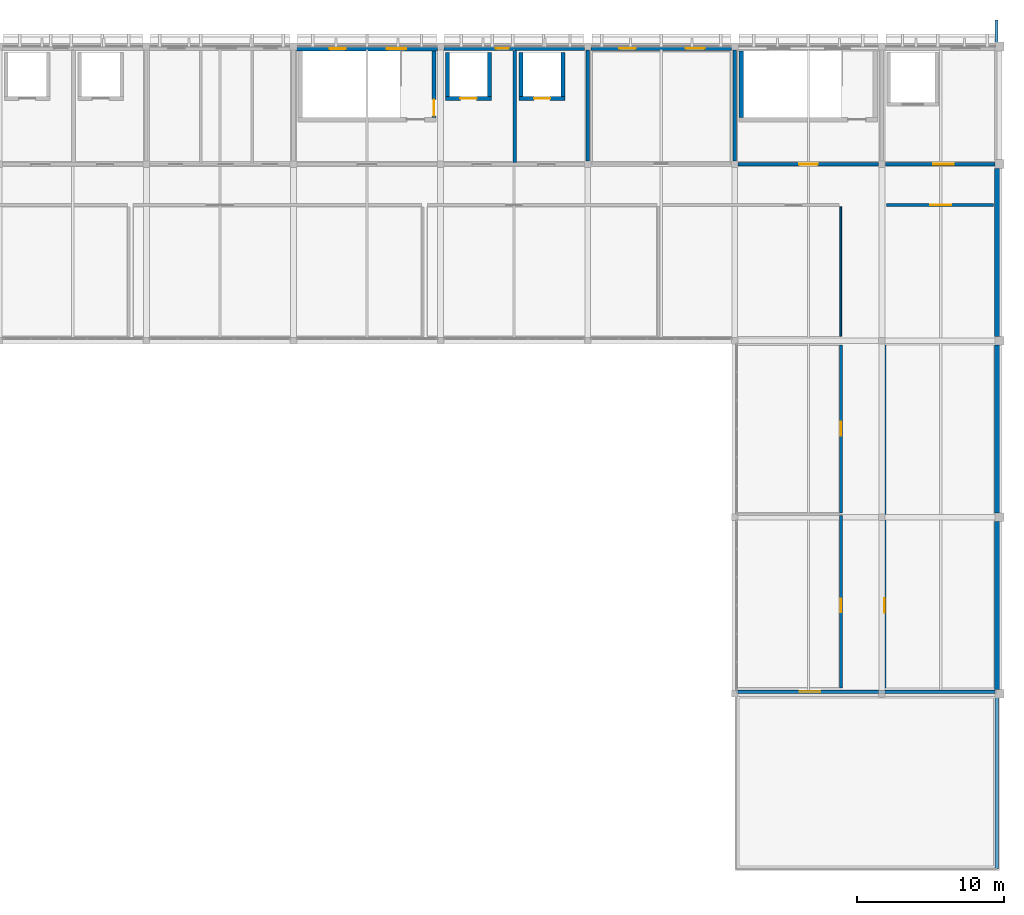
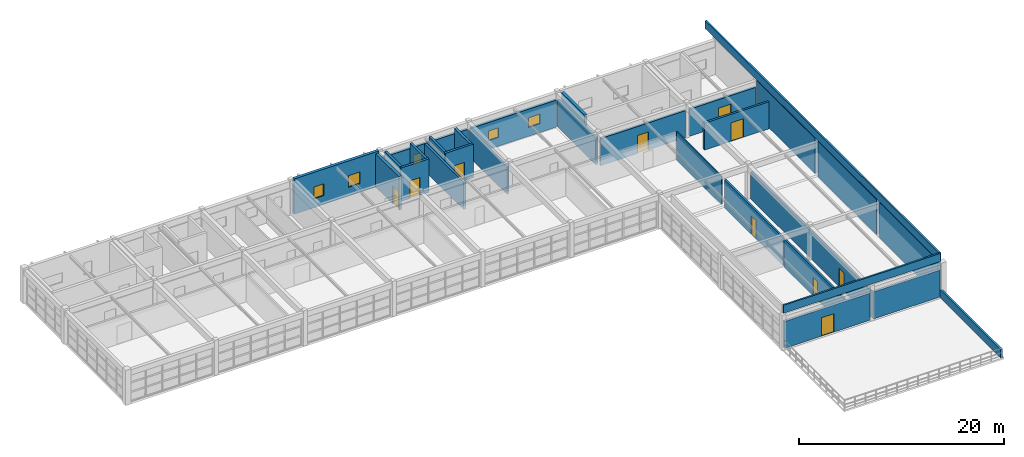
# One storey, part 14 of 16: 29 walls, 10 doors, 5 windows, 15 openings.
"""IFC4 building model written with IfcOpenShell, lengths in metres."""

from ifc_helpers import new_model, si_unit, direction, frame, frame_2d, origin, place, context, subcontext, project, spatial, rectangle, extrude, material, layer, layer_set, type_object, element, fill, save


model = new_model("IFC4")

# Units and contexts
model_context = context("Model", 3, precision=1e-05, world=origin(), true_north=direction((0.0, 1.0)))
body_context = subcontext(model_context, "Body", "Model", "MODEL_VIEW")
ifc_project = project(units=[si_unit("LENGTHUNIT", "METRE"), si_unit("AREAUNIT", "SQUARE_METRE"), si_unit("VOLUMEUNIT", "CUBIC_METRE"), si_unit("PLANEANGLEUNIT", "RADIAN"), si_unit("MASSUNIT", "GRAM", prefix="KILO")], contexts=[model_context])

# Site, building, storey
site_placement = place(None, origin())
site = spatial("IfcSite", under=ifc_project, at=site_placement, CompositionType="ELEMENT")
building_placement = place(site_placement, origin())
building = spatial("IfcBuilding", under=site, at=building_placement, Name="Kivolera Central Railway Station", CompositionType="ELEMENT")
storey_placement = place(building_placement, frame((0.0, 0.0, 27.0)))
storey = spatial("IfcBuildingStorey", under=building, at=storey_placement, Name="L06", CompositionType="ELEMENT", Elevation=27.0)

# Wall, opening, door
ifc_material_1 = material(Name="Concrete C40/50", Category="concrete")
ifc_layer_1 = layer(ifc_material_1, 0.22998046875, Name="Concrete C40/50")
ifc_layer_set_1 = layer_set([ifc_layer_1], Name="Concrete C40/50")
wall_type_1 = type_object("IfcWallType", Name="WL-COMP-230", PredefinedType="PARTITIONING", material=ifc_layer_set_1)
wall_1_placement = place(storey_placement, frame((188.300048828125, 123.219970703125, 0.0), z_axis=(0.0, 0.0, 1.0), x_axis=(1.0, 0.0, 0.0)))
wall_1 = element("IfcWall", 1, at=wall_1_placement, inside=storey, type_object=wall_type_1, Name="L06 Roof Smoke Extract and AHU Plant Room Corridor Wall", PredefinedType="PARTITIONING", context=body_context, shape_type="SweptSolid", body=[
    extrude(rectangle(XDim=7.300048828125, YDim=0.22998046875, at=frame_2d((3.64990234375, 0.0))), origin(), (0.0, 0.0, 1.0), 3.218017578125),
])
opening_1_placement = place(wall_1_placement, frame((3.0, 0.0, 0.0)))
opening_1 = element("IfcOpeningElement", 2, at=opening_1_placement, cuts=wall_1, Name="Opening D-PLT-1400", PredefinedType="OPENING", context=body_context, shape_type="SweptSolid", body=[
    extrude(rectangle(XDim=1.39990234375, YDim=2.199951171875, at=frame_2d((0.699951171875, 1.10009765625))), frame((0.0, 0.125, 0.0), z_axis=(0.0, -1.0, 0.0), x_axis=(1.0, 0.0, 0.0)), (0.0, 0.0, 1.0), 0.25),
])
ifc_material_2 = material(Name="Anodised aluminium", Category="aluminium")
door_type_1 = type_object("IfcDoorType", Name="DR-D-PLT-1400", OperationType="NOTDEFINED", PredefinedType="DOOR", material=ifc_material_2)
door_1_placement = place(opening_1_placement, origin())
door_1 = element("IfcDoor", 3, at=door_1_placement, inside=storey, type_object=door_type_1, Name="L06 Roof Smoke Extract and AHU Plant Room Door", OperationType="SINGLE_SWING_RIGHT", OverallHeight=2.199951171875, OverallWidth=1.39990234375, PredefinedType="DOOR", context=body_context, shape_type="SweptSolid", body=[
    extrude(rectangle(XDim=1.39990234375, YDim=2.199951171875, at=frame_2d((0.699951171875, 1.10009765625))), frame((0.0, 0.02490234375, 0.0), z_axis=(0.0, -1.0, 0.0), x_axis=(1.0, 0.0, 0.0)), (0.0, 0.0, 1.0), 0.050048828125),
])
fill(opening_1, door_1)

ifc_material_3 = material(Name="Swahili coral limestone", Category="masonry")
ifc_layer_2 = layer(ifc_material_3, 0.199951171875, Name="Swahili coral limestone")
ifc_layer_set_2 = layer_set([ifc_layer_2], Name="Swahili coral limestone")
wall_type_2 = type_object("IfcWallType", Name="WL-COR-200", PredefinedType="PARTITIONING", material=ifc_layer_set_2)
wall_2_placement = place(storey_placement, frame((185.219970703125, 90.39990234375, 0.0), z_axis=(0.0, 0.0, 1.0), x_axis=(0.0, 1.0, 0.0)))
wall_2 = element("IfcWall", 4, at=wall_2_placement, inside=storey, type_object=wall_type_2, Name="L06 Traction Simulator Laboratory Corridor Wall", PredefinedType="PARTITIONING", context=body_context, shape_type="SweptSolid", body=[
    extrude(rectangle(XDim=11.7001953125, YDim=0.199951171875, at=frame_2d((5.85009765625, 0.0))), origin(), (0.0, 0.0, 1.0), 3.318115234375),
])
opening_2_placement = place(wall_2_placement, frame((5.14990234375, 0.0, 0.0)))
opening_2 = element("IfcOpeningElement", 5, at=opening_2_placement, cuts=wall_2, Name="Opening D-SG-07", PredefinedType="OPENING", context=body_context, shape_type="SweptSolid", body=[
    extrude(rectangle(XDim=0.89990234375, YDim=2.199951171875, at=frame_2d((0.449951171875, 1.10009765625))), frame((0.0, 0.10986328125, 0.0), z_axis=(0.0, -1.0, 0.0), x_axis=(1.0, 0.0, 0.0)), (0.0, 0.0, 1.0), 0.219970703125),
])
ifc_material_4 = material(Name="Hardwood mvule timber", Category="wood")
door_type_2 = type_object("IfcDoorType", Name="DR-D-SG-07", OperationType="NOTDEFINED", PredefinedType="DOOR", material=ifc_material_4)
door_2_placement = place(opening_2_placement, origin())
door_2 = element("IfcDoor", 6, at=door_2_placement, inside=storey, type_object=door_type_2, Name="L06 Traction Simulator Laboratory Door", OperationType="SINGLE_SWING_LEFT", OverallHeight=2.199951171875, OverallWidth=0.89990234375, PredefinedType="DOOR", context=body_context, shape_type="SweptSolid", body=[
    extrude(rectangle(XDim=0.89990234375, YDim=2.199951171875, at=frame_2d((0.449951171875, 1.10009765625))), frame((0.0, 0.02490234375, 0.0), z_axis=(0.0, -1.0, 0.0), x_axis=(1.0, 0.0, 0.0)), (0.0, 0.0, 1.0), 0.050048828125),
])
fill(opening_2, door_2)

wall_3_placement = place(storey_placement, frame((185.219970703125, 102.300048828125, 0.0), z_axis=(0.0, 0.0, 1.0), x_axis=(0.0, 1.0, 0.0)))
wall_3 = element("IfcWall", 7, at=wall_3_placement, inside=storey, type_object=wall_type_2, Name="L06 ETCS Cab Signalling Laboratory Corridor Wall", PredefinedType="PARTITIONING", context=body_context, shape_type="SweptSolid", body=[
    extrude(rectangle(XDim=11.39990234375, YDim=0.199951171875, at=frame_2d((5.699951171875, 0.0))), origin(), (0.0, 0.0, 1.0), 3.318115234375),
])
opening_3_placement = place(wall_3_placement, frame((5.22509765625, 0.0, 0.0)))
opening_3 = element("IfcOpeningElement", 8, at=opening_3_placement, cuts=wall_3, Name="Opening D-SG-08", PredefinedType="OPENING", context=body_context, shape_type="SweptSolid", body=[
    extrude(rectangle(XDim=0.949951171875, YDim=2.199951171875, at=frame_2d((0.47509765625, 1.10009765625))), frame((0.0, 0.10986328125, 0.0), z_axis=(0.0, -1.0, 0.0), x_axis=(1.0, 0.0, 0.0)), (0.0, 0.0, 1.0), 0.219970703125),
])
door_type_3 = type_object("IfcDoorType", Name="DR-D-SG-08", OperationType="NOTDEFINED", PredefinedType="DOOR", material=ifc_material_4)
door_3_placement = place(opening_3_placement, origin())
door_3 = element("IfcDoor", 9, at=door_3_placement, inside=storey, type_object=door_type_3, Name="L06 ETCS Cab Signalling Laboratory Door", OperationType="SINGLE_SWING_RIGHT", OverallHeight=2.199951171875, OverallWidth=0.949951171875, PredefinedType="DOOR", context=body_context, shape_type="SweptSolid", body=[
    extrude(rectangle(XDim=0.949951171875, YDim=2.199951171875, at=frame_2d((0.47509765625, 1.10009765625))), frame((0.0, 0.02490234375, 0.0), z_axis=(0.0, -1.0, 0.0), x_axis=(1.0, 0.0, 0.0)), (0.0, 0.0, 1.0), 0.050048828125),
])
fill(opening_3, door_3)

wall_4_placement = place(storey_placement, frame((188.179931640625, 90.39990234375, 0.0), z_axis=(0.0, 0.0, 1.0), x_axis=(0.0, 1.0, 0.0)))
wall_4 = element("IfcWall", 10, at=wall_4_placement, inside=storey, type_object=wall_type_2, Name="L06 Training Instructors Faculty Lounge Corridor Wall", PredefinedType="PARTITIONING", context=body_context, shape_type="SweptSolid", body=[
    extrude(rectangle(XDim=23.300048828125, YDim=0.199951171875, at=frame_2d((11.64990234375, 0.0))), origin(), (0.0, 0.0, 1.0), 3.218017578125),
])
opening_4_placement = place(wall_4_placement, frame((5.10009765625, 0.0, 0.0)))
opening_4 = element("IfcOpeningElement", 11, at=opening_4_placement, cuts=wall_4, Name="Opening D-SG-09", PredefinedType="OPENING", context=body_context, shape_type="SweptSolid", body=[
    extrude(rectangle(XDim=1.0, YDim=2.199951171875, at=frame_2d((0.5, 1.10009765625))), frame((0.0, 0.10986328125, 0.0), z_axis=(0.0, -1.0, 0.0), x_axis=(1.0, 0.0, 0.0)), (0.0, 0.0, 1.0), 0.219970703125),
])
door_type_4 = type_object("IfcDoorType", Name="DR-D-SG-09", OperationType="NOTDEFINED", PredefinedType="DOOR", material=ifc_material_4)
door_4_placement = place(opening_4_placement, origin())
door_4 = element("IfcDoor", 12, at=door_4_placement, inside=storey, type_object=door_type_4, Name="L06 Training Instructors Faculty Lounge Door", OperationType="SINGLE_SWING_LEFT", OverallHeight=2.199951171875, OverallWidth=1.0, PredefinedType="DOOR", context=body_context, shape_type="SweptSolid", body=[
    extrude(rectangle(XDim=1.0, YDim=2.199951171875, at=frame_2d((0.5, 1.10009765625))), frame((0.0, 0.02490234375, 0.0), z_axis=(0.0, -1.0, 0.0), x_axis=(1.0, 0.0, 0.0)), (0.0, 0.0, 1.0), 0.050048828125),
])
fill(opening_4, door_4)

ifc_layer_3 = layer(ifc_material_1, 0.300048828125, Name="Concrete C40/50")
ifc_layer_set_3 = layer_set([ifc_layer_3], Name="Concrete C40/50")
wall_type_3 = type_object("IfcWallType", Name="WL-CORE-300", PredefinedType="SHEAR", material=ifc_layer_set_3)
wall_5_placement = place(storey_placement, frame((157.550048828125, 133.679931640625, 0.0), z_axis=(0.0, 0.0, 1.0), x_axis=(0.0, -1.0, 0.0)))
wall_5 = element("IfcWall", 13, at=wall_5_placement, inside=storey, type_object=wall_type_3, Name="L06 ST2 Core Near Shear Wall", PredefinedType="SHEAR", context=body_context, shape_type="SweptSolid", body=[
    extrude(rectangle(XDim=4.5, YDim=0.300048828125, at=frame_2d((2.25, 0.0))), origin(), (0.0, 0.0, 1.0), 3.97998046875),
])
opening_5_placement = place(wall_5_placement, frame((3.300048828125, 0.0, 0.0)))
opening_5 = element("IfcOpeningElement", 14, at=opening_5_placement, cuts=wall_5, Name="Opening D-FFL-1100", PredefinedType="OPENING", context=body_context, shape_type="SweptSolid", body=[
    extrude(rectangle(XDim=1.10009765625, YDim=2.14990234375, at=frame_2d((0.550048828125, 1.074951171875))), frame((0.0, 0.159912109375, 0.0), z_axis=(0.0, -1.0, 0.0), x_axis=(1.0, 0.0, 0.0)), (0.0, 0.0, 1.0), 0.320068359375),
])
door_type_5 = type_object("IfcDoorType", Name="DR-D-FFL-1100", OperationType="NOTDEFINED", PredefinedType="DOOR", material=ifc_material_4)
door_5_placement = place(opening_5_placement, origin())
door_5 = element("IfcDoor", 15, at=door_5_placement, inside=storey, type_object=door_type_5, Name="L06 Firefighting Lobby to ST2 Fire Door", OperationType="SINGLE_SWING_RIGHT", OverallHeight=2.14990234375, OverallWidth=1.10009765625, PredefinedType="DOOR", context=body_context, shape_type="SweptSolid", body=[
    extrude(rectangle(XDim=1.10009765625, YDim=2.14990234375, at=frame_2d((0.550048828125, 1.074951171875))), frame((0.0, 0.02490234375, 0.0), z_axis=(0.0, -1.0, 0.0), x_axis=(1.0, 0.0, 0.0)), (0.0, 0.0, 1.0), 0.050048828125),
])
fill(opening_5, door_5)

# Wall
wall_6_placement = place(storey_placement, frame((178.449951171875, 129.179931640625, 0.0), z_axis=(0.0, 0.0, 1.0), x_axis=(0.0, 1.0, 0.0)))
element("IfcWall", 16, at=wall_6_placement, inside=storey, type_object=wall_type_3, Name="L06 ST3 Core Far Shear Wall", PredefinedType="SHEAR", context=body_context, shape_type="SweptSolid", body=[
    extrude(rectangle(XDim=4.5, YDim=0.300048828125, at=frame_2d((2.25, 0.0))), origin(), (0.0, 0.0, 1.0), 3.97998046875),
])

# Wall, openings, windows
ifc_layer_4 = layer(ifc_material_1, 0.320068359375, Name="Concrete C40/50")
ifc_layer_set_4 = layer_set([ifc_layer_4], Name="Concrete C40/50")
wall_type_4 = type_object("IfcWallType", Name="WL-CORE-EXT-320", PredefinedType="SHEAR", material=ifc_layer_set_4)
wall_7_placement = place(storey_placement, frame((148.219970703125, 133.840087890625, 0.0), z_axis=(0.0, 0.0, 1.0), x_axis=(1.0, 0.0, 0.0)))
wall_7 = element("IfcWall", 17, at=wall_7_placement, inside=storey, type_object=wall_type_4, Name="L06 North Street Facade Wall Bay 4", PredefinedType="SHEAR", context=body_context, shape_type="SweptSolid", body=[
    extrude(rectangle(XDim=9.56005859375, YDim=0.320068359375, at=frame_2d((4.780029296875, 0.0))), origin(), (0.0, 0.0, 1.0), 4.199951171875),
])
opening_6_placement = place(wall_7_placement, frame((2.22998046875, 0.0, 1.050048828125)))
opening_6 = element("IfcOpeningElement", 18, at=opening_6_placement, cuts=wall_7, Name="Opening WN-14", PredefinedType="OPENING", context=body_context, shape_type="SweptSolid", body=[
    extrude(rectangle(XDim=1.10009765625, YDim=1.39990234375, at=frame_2d((0.550048828125, 0.699951171875))), frame((0.0, 0.169921875, 0.0), z_axis=(0.0, -1.0, 0.0), x_axis=(1.0, 0.0, 0.0)), (0.0, 0.0, 1.0), 0.340087890625),
])
opening_7_placement = place(wall_7_placement, frame((6.1298828125, 0.0, 1.050048828125)))
opening_7 = element("IfcOpeningElement", 19, at=opening_7_placement, cuts=wall_7, Name="Opening WN-15", PredefinedType="OPENING", context=body_context, shape_type="SweptSolid", body=[
    extrude(rectangle(XDim=1.300048828125, YDim=1.39990234375, at=frame_2d((0.64990234375, 0.699951171875))), frame((0.0, 0.169921875, 0.0), z_axis=(0.0, -1.0, 0.0), x_axis=(1.0, 0.0, 0.0)), (0.0, 0.0, 1.0), 0.340087890625),
])
ifc_material_5 = material(Name="Double low-E laminated glass", Category="glass")
window_type_1 = type_object("IfcWindowType", Name="WIN-WN-14", PartitioningType="SINGLE_PANEL", PredefinedType="WINDOW", material=ifc_material_5)
window_1_placement = place(opening_6_placement, origin())
window_1 = element("IfcWindow", 20, at=window_1_placement, inside=storey, type_object=window_type_1, Name="L06 North Street Window Bay 4.1", OverallHeight=1.39990234375, OverallWidth=1.10009765625, PartitioningType="SINGLE_PANEL", PredefinedType="WINDOW", context=body_context, shape_type="SweptSolid", body=[
    extrude(rectangle(XDim=1.10009765625, YDim=1.39990234375, at=frame_2d((0.550048828125, 0.699951171875))), frame((0.0, 0.030029296875, 0.0), z_axis=(0.0, -1.0, 0.0), x_axis=(1.0, 0.0, 0.0)), (0.0, 0.0, 1.0), 0.06005859375),
])
fill(opening_6, window_1)
window_type_2 = type_object("IfcWindowType", Name="WIN-WN-15", PartitioningType="SINGLE_PANEL", PredefinedType="WINDOW", material=ifc_material_5)
window_2_placement = place(opening_7_placement, origin())
window_2 = element("IfcWindow", 21, at=window_2_placement, inside=storey, type_object=window_type_2, Name="L06 North Street Window Bay 4.2", OverallHeight=1.39990234375, OverallWidth=1.300048828125, PartitioningType="SINGLE_PANEL", PredefinedType="WINDOW", context=body_context, shape_type="SweptSolid", body=[
    extrude(rectangle(XDim=1.300048828125, YDim=1.39990234375, at=frame_2d((0.64990234375, 0.699951171875))), frame((0.0, 0.030029296875, 0.0), z_axis=(0.0, -1.0, 0.0), x_axis=(1.0, 0.0, 0.0)), (0.0, 0.0, 1.0), 0.06005859375),
])
fill(opening_7, window_2)

# Wall, opening, window
ifc_layer_5 = layer(ifc_material_3, 0.27001953125, Name="Swahili coral limestone")
ifc_layer_set_5 = layer_set([ifc_layer_5], Name="Swahili coral limestone")
wall_type_5 = type_object("IfcWallType", Name="WL-EXT-CORAL-270", PredefinedType="SOLIDWALL", material=ifc_layer_set_5)
wall_8_placement = place(storey_placement, frame((158.219970703125, 133.864990234375, 0.0), z_axis=(0.0, 0.0, 1.0), x_axis=(1.0, 0.0, 0.0)))
wall_8 = element("IfcWall", 22, at=wall_8_placement, inside=storey, type_object=wall_type_5, Name="L06 North Street Facade Wall Bay 5", PredefinedType="SOLIDWALL", context=body_context, shape_type="SweptSolid", body=[
    extrude(rectangle(XDim=9.56005859375, YDim=0.27001953125, at=frame_2d((4.780029296875, 0.0))), origin(), (0.0, 0.0, 1.0), 3.218017578125),
])
opening_8_placement = place(wall_8_placement, frame((3.530029296875, 0.0, 1.050048828125)))
opening_8 = element("IfcOpeningElement", 23, at=opening_8_placement, cuts=wall_8, Name="Opening WN-01", PredefinedType="OPENING", context=body_context, shape_type="SweptSolid", body=[
    extrude(rectangle(XDim=0.89990234375, YDim=1.14990234375, at=frame_2d((0.449951171875, 0.574951171875))), frame((0.0, 0.14501953125, 0.0), z_axis=(0.0, -1.0, 0.0), x_axis=(1.0, 0.0, 0.0)), (0.0, 0.0, 1.0), 0.2900390625),
])
window_type_3 = type_object("IfcWindowType", Name="WIN-WN-01", PartitioningType="SINGLE_PANEL", PredefinedType="WINDOW", material=ifc_material_5)
window_3_placement = place(opening_8_placement, origin())
window_3 = element("IfcWindow", 24, at=window_3_placement, inside=storey, type_object=window_type_3, Name="L06 North Street Window Bay 5.1", OverallHeight=1.14990234375, OverallWidth=0.89990234375, PartitioningType="SINGLE_PANEL", PredefinedType="WINDOW", context=body_context, shape_type="SweptSolid", body=[
    extrude(rectangle(XDim=0.89990234375, YDim=1.14990234375, at=frame_2d((0.449951171875, 0.574951171875))), frame((0.0, 0.030029296875, 0.0), z_axis=(0.0, -1.0, 0.0), x_axis=(1.0, 0.0, 0.0)), (0.0, 0.0, 1.0), 0.06005859375),
])
fill(opening_8, window_3)

# Wall, openings, windows
wall_9_placement = place(storey_placement, frame((168.219970703125, 133.864990234375, 0.0), z_axis=(0.0, 0.0, 1.0), x_axis=(1.0, 0.0, 0.0)))
wall_9 = element("IfcWall", 25, at=wall_9_placement, inside=storey, type_object=wall_type_5, Name="L06 North Street Facade Wall Bay 6", PredefinedType="SOLIDWALL", context=body_context, shape_type="SweptSolid", body=[
    extrude(rectangle(XDim=9.56005859375, YDim=0.27001953125, at=frame_2d((4.780029296875, 0.0))), origin(), (0.0, 0.0, 1.0), 3.218017578125),
])
opening_9_placement = place(wall_9_placement, frame((1.929931640625, 0.0, 1.050048828125)))
opening_9 = element("IfcOpeningElement", 26, at=opening_9_placement, cuts=wall_9, Name="Opening WN-02", PredefinedType="OPENING", context=body_context, shape_type="SweptSolid", body=[
    extrude(rectangle(XDim=1.10009765625, YDim=1.14990234375, at=frame_2d((0.550048828125, 0.574951171875))), frame((0.0, 0.14501953125, 0.0), z_axis=(0.0, -1.0, 0.0), x_axis=(1.0, 0.0, 0.0)), (0.0, 0.0, 1.0), 0.2900390625),
])
opening_10_placement = place(wall_9_placement, frame((6.429931640625, 0.0, 1.050048828125)))
opening_10 = element("IfcOpeningElement", 27, at=opening_10_placement, cuts=wall_9, Name="Opening WN-03", PredefinedType="OPENING", context=body_context, shape_type="SweptSolid", body=[
    extrude(rectangle(XDim=1.300048828125, YDim=1.14990234375, at=frame_2d((0.64990234375, 0.574951171875))), frame((0.0, 0.14501953125, 0.0), z_axis=(0.0, -1.0, 0.0), x_axis=(1.0, 0.0, 0.0)), (0.0, 0.0, 1.0), 0.2900390625),
])
window_type_4 = type_object("IfcWindowType", Name="WIN-WN-02", PartitioningType="SINGLE_PANEL", PredefinedType="WINDOW", material=ifc_material_5)
window_4_placement = place(opening_9_placement, origin())
window_4 = element("IfcWindow", 28, at=window_4_placement, inside=storey, type_object=window_type_4, Name="L06 North Street Window Bay 6.1", OverallHeight=1.14990234375, OverallWidth=1.10009765625, PartitioningType="SINGLE_PANEL", PredefinedType="WINDOW", context=body_context, shape_type="SweptSolid", body=[
    extrude(rectangle(XDim=1.10009765625, YDim=1.14990234375, at=frame_2d((0.550048828125, 0.574951171875))), frame((0.0, 0.030029296875, 0.0), z_axis=(0.0, -1.0, 0.0), x_axis=(1.0, 0.0, 0.0)), (0.0, 0.0, 1.0), 0.06005859375),
])
fill(opening_9, window_4)
window_type_5 = type_object("IfcWindowType", Name="WIN-WN-03", PartitioningType="SINGLE_PANEL", PredefinedType="WINDOW", material=ifc_material_5)
window_5_placement = place(opening_10_placement, origin())
window_5 = element("IfcWindow", 29, at=window_5_placement, inside=storey, type_object=window_type_5, Name="L06 North Street Window Bay 6.2", OverallHeight=1.14990234375, OverallWidth=1.300048828125, PartitioningType="SINGLE_PANEL", PredefinedType="WINDOW", context=body_context, shape_type="SweptSolid", body=[
    extrude(rectangle(XDim=1.300048828125, YDim=1.14990234375, at=frame_2d((0.64990234375, 0.574951171875))), frame((0.0, 0.030029296875, 0.0), z_axis=(0.0, -1.0, 0.0), x_axis=(1.0, 0.0, 0.0)), (0.0, 0.0, 1.0), 0.06005859375),
])
fill(opening_10, window_5)

# Wall, opening, door
wall_10_placement = place(storey_placement, frame((187.780029296875, 90.135009765625, 0.0), z_axis=(0.0, 0.0, 1.0), x_axis=(-1.0, 0.0, 0.0)))
wall_10 = element("IfcWall", 30, at=wall_10_placement, inside=storey, type_object=wall_type_5, Name="L06 South Terrace Wall 178", PredefinedType="SOLIDWALL", context=body_context, shape_type="SweptSolid", body=[
    extrude(rectangle(XDim=9.56005859375, YDim=0.27001953125, at=frame_2d((4.780029296875, 0.0))), origin(), (0.0, 0.0, 1.0), 3.218017578125),
])
opening_11_placement = place(wall_10_placement, frame((3.97998046875, 0.0, 0.0)))
opening_11 = element("IfcOpeningElement", 31, at=opening_11_placement, cuts=wall_10, Name="Opening TD-1400", PredefinedType="OPENING", context=body_context, shape_type="SweptSolid", body=[
    extrude(rectangle(XDim=1.39990234375, YDim=2.199951171875, at=frame_2d((0.699951171875, 1.10009765625))), frame((0.0, 0.14501953125, 0.0), z_axis=(0.0, -1.0, 0.0), x_axis=(1.0, 0.0, 0.0)), (0.0, 0.0, 1.0), 0.2900390625),
])
door_type_6 = type_object("IfcDoorType", Name="DR-TD-1400", OperationType="NOTDEFINED", PredefinedType="DOOR", material=ifc_material_2)
door_6_placement = place(opening_11_placement, origin())
door_6 = element("IfcDoor", 32, at=door_6_placement, inside=storey, type_object=door_type_6, Name="L06 Academy Studio Terrace Door", OperationType="SINGLE_SWING_LEFT", OverallHeight=2.199951171875, OverallWidth=1.39990234375, PredefinedType="DOOR", context=body_context, shape_type="SweptSolid", body=[
    extrude(rectangle(XDim=1.39990234375, YDim=2.199951171875, at=frame_2d((0.699951171875, 1.10009765625))), frame((0.0, 0.02490234375, 0.0), z_axis=(0.0, -1.0, 0.0), x_axis=(1.0, 0.0, 0.0)), (0.0, 0.0, 1.0), 0.050048828125),
])
fill(opening_11, door_6)

# Wall
wall_11_placement = place(storey_placement, frame((195.705078125, 90.135009765625, 0.0), z_axis=(0.0, 0.0, 1.0), x_axis=(-1.0, 0.0, 0.0)))
element("IfcWall", 33, at=wall_11_placement, inside=storey, type_object=wall_type_5, Name="L06 South Terrace Wall 188", PredefinedType="SOLIDWALL", context=body_context, shape_type="SweptSolid", body=[
    extrude(rectangle(XDim=7.485107421875, YDim=0.27001953125, at=frame_2d((3.74267578125, 0.0))), origin(), (0.0, 0.0, 1.0), 3.218017578125),
])

# Wall, opening, door
ifc_layer_6 = layer(ifc_material_1, 0.25, Name="Concrete C40/50")
ifc_layer_set_6 = layer_set([ifc_layer_6], Name="Concrete C40/50")
wall_type_6 = type_object("IfcWallType", Name="WL-FFL-250", PredefinedType="PARTITIONING", material=ifc_layer_set_6)
wall_12_placement = place(storey_placement, frame((178.22998046875, 126.0, 0.0), z_axis=(0.0, 0.0, 1.0), x_axis=(1.0, 0.0, 0.0)))
wall_12 = element("IfcWall", 34, at=wall_12_placement, inside=storey, type_object=wall_type_6, Name="L06 North Core Corridor Wall 178", PredefinedType="PARTITIONING", context=body_context, shape_type="SweptSolid", body=[
    extrude(rectangle(XDim=9.5400390625, YDim=0.25, at=frame_2d((4.77001953125, 0.0))), origin(), (0.0, 0.0, 1.0), 3.218017578125),
])
opening_12_placement = place(wall_12_placement, frame((4.14501953125, 0.0, 0.0)))
opening_12 = element("IfcOpeningElement", 35, at=opening_12_placement, cuts=wall_12, Name="Opening D-FFL-1250", PredefinedType="OPENING", context=body_context, shape_type="SweptSolid", body=[
    extrude(rectangle(XDim=1.25, YDim=2.14990234375, at=frame_2d((0.625, 1.074951171875))), frame((0.0, 0.135009765625, 0.0), z_axis=(0.0, -1.0, 0.0), x_axis=(1.0, 0.0, 0.0)), (0.0, 0.0, 1.0), 0.27001953125),
])
door_type_7 = type_object("IfcDoorType", Name="DR-D-FFL-1250", OperationType="NOTDEFINED", PredefinedType="DOOR", material=ifc_material_4)
door_7_placement = place(opening_12_placement, origin())
door_7 = element("IfcDoor", 36, at=door_7_placement, inside=storey, type_object=door_type_7, Name="L06 ST3 Vestibule Corridor Door", OperationType="SINGLE_SWING_LEFT", OverallHeight=2.14990234375, OverallWidth=1.25, PredefinedType="DOOR", context=body_context, shape_type="SweptSolid", body=[
    extrude(rectangle(XDim=1.25, YDim=2.14990234375, at=frame_2d((0.625, 1.074951171875))), frame((0.0, 0.02490234375, 0.0), z_axis=(0.0, -1.0, 0.0), x_axis=(1.0, 0.0, 0.0)), (0.0, 0.0, 1.0), 0.050048828125),
])
fill(opening_12, door_7)

wall_13_placement = place(storey_placement, frame((188.22998046875, 126.0, 0.0), z_axis=(0.0, 0.0, 1.0), x_axis=(1.0, 0.0, 0.0)))
wall_13 = element("IfcWall", 37, at=wall_13_placement, inside=storey, type_object=wall_type_6, Name="L06 North Core Corridor Wall 188", PredefinedType="PARTITIONING", context=body_context, shape_type="SweptSolid", body=[
    extrude(rectangle(XDim=7.465087890625, YDim=0.25, at=frame_2d((3.732421875, 0.0))), origin(), (0.0, 0.0, 1.0), 3.218017578125),
])
opening_13_placement = place(wall_13_placement, frame((3.27001953125, 0.0, 0.0)))
opening_13 = element("IfcOpeningElement", 38, at=opening_13_placement, cuts=wall_13, Name="Opening D-PLT-1400", PredefinedType="OPENING", context=body_context, shape_type="SweptSolid", body=[
    extrude(rectangle(XDim=1.39990234375, YDim=2.199951171875, at=frame_2d((0.699951171875, 1.10009765625))), frame((0.0, 0.135009765625, 0.0), z_axis=(0.0, -1.0, 0.0), x_axis=(1.0, 0.0, 0.0)), (0.0, 0.0, 1.0), 0.27001953125),
])
door_8_placement = place(opening_13_placement, origin())
door_8 = element("IfcDoor", 39, at=door_8_placement, inside=storey, type_object=door_type_1, Name="L06 GL1 Goods Lift Lobby Door", OperationType="SINGLE_SWING_RIGHT", OverallHeight=2.199951171875, OverallWidth=1.39990234375, PredefinedType="DOOR", context=body_context, shape_type="SweptSolid", body=[
    extrude(rectangle(XDim=1.39990234375, YDim=2.199951171875, at=frame_2d((0.699951171875, 1.10009765625))), frame((0.0, 0.02490234375, 0.0), z_axis=(0.0, -1.0, 0.0), x_axis=(1.0, 0.0, 0.0)), (0.0, 0.0, 1.0), 0.050048828125),
])
fill(opening_13, door_8)

# Walls
wall_14_placement = place(storey_placement, frame((163.050048828125, 126.125, 0.0), z_axis=(0.0, 0.0, 1.0), x_axis=(0.0, 1.0, 0.0)))
element("IfcWall", 40, at=wall_14_placement, inside=storey, type_object=wall_type_6, Name="L06 North Core Partition FFL2-DIV", PredefinedType="PARTITIONING", context=body_context, shape_type="SweptSolid", body=[
    extrude(rectangle(XDim=7.60498046875, YDim=0.25, at=frame_2d((3.802490234375, 0.0))), origin(), (0.0, 0.0, 1.0), 3.218017578125),
])
for number, where, z_axis, x_axis, name in (
    (41, (168.0, 126.22998046875, 0.0), (0.0, 0.0, 1.0), (0.0, 1.0, 0.0), "L06 North Core Partition GRID-168"),
    (42, (178.0, 126.22998046875, 0.0), (0.0, 0.0, 1.0), (0.0, 1.0, 0.0), "L06 North Core Partition GRID-178"),
):
    element("IfcWall", number, at=place(storey_placement, frame(where, z_axis=z_axis, x_axis=x_axis)), inside=storey, type_object=wall_type_6, Name=name, PredefinedType="PARTITIONING", context=body_context, shape_type="SweptSolid", body=[
        extrude(rectangle(XDim=7.5400390625, YDim=0.25, at=frame_2d((3.77001953125, 0.0))), origin(), (0.0, 0.0, 1.0), 3.218017578125),
    ])
ifc_layer_7 = layer(ifc_material_1, 0.18994140625, Name="Concrete C40/50")
ifc_layer_set_7 = layer_set([ifc_layer_7], Name="Concrete C40/50")
wall_type_7 = type_object("IfcWallType", Name="WL-PARAPET-190", PredefinedType="PARAPET", material=ifc_layer_set_7)
wall_15_placement = place(storey_placement, frame((178.1201171875, 90.1201171875, 4.199951171875), z_axis=(0.0, 0.0, 1.0), x_axis=(1.0, 0.0, 0.0)))
element("IfcWall", 43, at=wall_15_placement, inside=storey, type_object=wall_type_7, Name="L06 Roof Perimeter Parapet EAST-ACAD-S", PredefinedType="PARAPET", context=body_context, shape_type="SweptSolid", body=[
    extrude(rectangle(XDim=17.679931640625, YDim=0.18994140625, at=frame_2d((8.83984375, 0.0))), origin(), (0.0, 0.0, 1.0), 0.949951171875),
])
wall_16_placement = place(storey_placement, frame((195.800048828125, 90.1201171875, 4.199951171875), z_axis=(0.0, 0.0, 1.0), x_axis=(0.0, 1.0, 0.0)))
element("IfcWall", 44, at=wall_16_placement, inside=storey, type_object=wall_type_7, Name="L06 Roof Perimeter Parapet EAST-ACAD-E", PredefinedType="PARAPET", context=body_context, shape_type="SweptSolid", body=[
    extrude(rectangle(XDim=45.679931640625, YDim=0.18994140625, at=frame_2d((22.83984375, 0.0))), origin(), (0.0, 0.0, 1.0), 0.949951171875),
])
ifc_layer_8 = layer(ifc_material_1, 0.219970703125, Name="Concrete C40/50")
ifc_layer_set_8 = layer_set([ifc_layer_8], Name="Concrete C40/50")
wall_type_8 = type_object("IfcWallType", Name="WL-PARAPET-220", PredefinedType="PARAPET", material=ifc_layer_set_8)
wall_17_placement = place(storey_placement, frame((195.800048828125, 78.10009765625, 0.0), z_axis=(0.0, 0.0, 1.0), x_axis=(0.0, 1.0, 0.0)))
element("IfcWall", 45, at=wall_17_placement, inside=storey, type_object=wall_type_8, Name="L06 Roof Perimeter Parapet TER-PARTY", PredefinedType="PARAPET", context=body_context, shape_type="SweptSolid", body=[
    extrude(rectangle(XDim=11.7998046875, YDim=0.219970703125, at=frame_2d((5.89990234375, 0.0))), origin(), (0.0, 0.0, 1.0), 0.949951171875),
])
ifc_layer_9 = layer(ifc_material_1, 0.35009765625, Name="Concrete C40/50")
ifc_layer_set_9 = layer_set([ifc_layer_9], Name="Concrete C40/50")
wall_type_9 = type_object("IfcWallType", Name="WL-PARTY-350", PredefinedType="SOLIDWALL", material=ifc_layer_set_9)
for number, where, z_axis, x_axis, name in (
    (46, (195.824951171875, 101.705078125, 0.0), (0.0, 0.0, 1.0), (0.0, -1.0, 0.0), "L06 East Infill EI 120 Party Wall 90-102"),
    (47, (195.824951171875, 113.705078125, 0.0), (0.0, 0.0, 1.0), (0.0, -1.0, 0.0), "L06 East Infill EI 120 Party Wall 102-114"),
    (48, (195.824951171875, 125.705078125, 0.0), (0.0, 0.0, 1.0), (0.0, -1.0, 0.0), "L06 East Infill EI 120 Party Wall 114-126"),
):
    element("IfcWall", number, at=place(storey_placement, frame(where, z_axis=z_axis, x_axis=x_axis)), inside=storey, type_object=wall_type_9, Name=name, PredefinedType="SOLIDWALL", context=body_context, shape_type="SweptSolid", body=[
        extrude(rectangle(XDim=11.41015625, YDim=0.35009765625, at=frame_2d((5.705078125, 0.0))), origin(), (0.0, 0.0, 1.0), 4.199951171875),
    ])
ifc_material_6 = material(Name="Gypsum plasterboard steel-stud partition")
ifc_layer_10 = layer(ifc_material_6, 0.1201171875, Name="Gypsum plasterboard steel-stud partition")
ifc_layer_set_10 = layer_set([ifc_layer_10], Name="Gypsum plasterboard steel-stud partition")
wall_type_10 = type_object("IfcWallType", Name="WL-PRT-120", PredefinedType="PARTITIONING", material=ifc_layer_set_10)
wall_18_placement = place(storey_placement, frame((185.199951171875, 114.300048828125, 0.0), z_axis=(0.0, 0.0, 1.0), x_axis=(0.0, 1.0, 0.0)))
element("IfcWall", 49, at=wall_18_placement, inside=storey, type_object=wall_type_10, Name="L06 Railway Signalling Design Studio Partition Wall", PredefinedType="PARTITIONING", context=body_context, shape_type="SweptSolid", body=[
    extrude(rectangle(XDim=8.800048828125, YDim=0.1201171875, at=frame_2d((4.39990234375, 0.0))), origin(), (0.0, 0.0, 1.0), 3.318115234375),
])

# Wall, opening, door
ifc_layer_11 = layer(ifc_material_1, 0.260009765625, Name="Concrete C40/50")
ifc_layer_set_11 = layer_set([ifc_layer_11], Name="Concrete C40/50")
wall_type_11 = type_object("IfcWallType", Name="WL-SHAFT-260", PredefinedType="SHEAR", material=ifc_layer_set_11)
wall_19_placement = place(storey_placement, frame((158.340087890625, 130.469970703125, 0.0), z_axis=(0.0, 0.0, 1.0), x_axis=(1.0, 0.0, 0.0)))
wall_19 = element("IfcWall", 50, at=wall_19_placement, inside=storey, type_object=wall_type_11, Name="L06 Lift FL2 Front Shaft Wall", PredefinedType="SHEAR", context=body_context, shape_type="SweptSolid", body=[
    extrude(rectangle(XDim=3.119873046875, YDim=0.260009765625, at=frame_2d((1.56005859375, 0.0))), origin(), (0.0, 0.0, 1.0), 3.97998046875),
])
opening_14_placement = place(wall_19_placement, frame((1.010009765625, 0.0, 0.0)))
opening_14 = element("IfcOpeningElement", 51, at=opening_14_placement, cuts=wall_19, Name="Opening LD-FFL-1100", PredefinedType="OPENING", context=body_context, shape_type="SweptSolid", body=[
    extrude(rectangle(XDim=1.10009765625, YDim=2.10009765625, at=frame_2d((0.550048828125, 1.050048828125))), frame((0.0, 0.139892578125, 0.0), z_axis=(0.0, -1.0, 0.0), x_axis=(1.0, 0.0, 0.0)), (0.0, 0.0, 1.0), 0.280029296875),
])
door_type_8 = type_object("IfcDoorType", Name="DR-LD-FFL-1100", OperationType="NOTDEFINED", PredefinedType="DOOR", material=ifc_material_2)
door_9_placement = place(opening_14_placement, origin())
door_9 = element("IfcDoor", 52, at=door_9_placement, inside=storey, type_object=door_type_8, Name="L06 Lift FL2 Sliding Landing Door", OperationType="SLIDING_TO_LEFT", OverallHeight=2.10009765625, OverallWidth=1.10009765625, PredefinedType="DOOR", context=body_context, shape_type="SweptSolid", body=[
    extrude(rectangle(XDim=1.10009765625, YDim=2.10009765625, at=frame_2d((0.550048828125, 1.050048828125))), frame((0.0, 0.02490234375, 0.0), z_axis=(0.0, -1.0, 0.0), x_axis=(1.0, 0.0, 0.0)), (0.0, 0.0, 1.0), 0.050048828125),
])
fill(opening_14, door_9)

# Walls
for number, where, z_axis, x_axis, name in (
    (53, (158.469970703125, 130.60009765625, 0.0), (0.0, 0.0, 1.0), (0.0, 1.0, 0.0), "L06 Lift FL2 West Shaft Wall"),
    (54, (161.330078125, 130.60009765625, 0.0), (0.0, 0.0, 1.0), (0.0, 1.0, 0.0), "L06 Lift FL2 East Shaft Wall"),
):
    element("IfcWall", number, at=place(storey_placement, frame(where, z_axis=z_axis, x_axis=x_axis)), inside=storey, type_object=wall_type_11, Name=name, PredefinedType="SHEAR", context=body_context, shape_type="SweptSolid", body=[
        extrude(rectangle(XDim=3.0, YDim=0.260009765625, at=frame_2d((1.5, 0.0))), origin(), (0.0, 0.0, 1.0), 3.97998046875),
    ])

# Wall, opening, door
wall_20_placement = place(storey_placement, frame((163.340087890625, 130.469970703125, 0.0), z_axis=(0.0, 0.0, 1.0), x_axis=(1.0, 0.0, 0.0)))
wall_20 = element("IfcWall", 55, at=wall_20_placement, inside=storey, type_object=wall_type_11, Name="L06 Lift PL2 Front Shaft Wall", PredefinedType="SHEAR", context=body_context, shape_type="SweptSolid", body=[
    extrude(rectangle(XDim=3.119873046875, YDim=0.260009765625, at=frame_2d((1.56005859375, 0.0))), origin(), (0.0, 0.0, 1.0), 3.97998046875),
])
opening_15_placement = place(wall_20_placement, frame((1.010009765625, 0.0, 0.0)))
opening_15 = element("IfcOpeningElement", 56, at=opening_15_placement, cuts=wall_20, Name="Opening LD-PAX-1100", PredefinedType="OPENING", context=body_context, shape_type="SweptSolid", body=[
    extrude(rectangle(XDim=1.10009765625, YDim=2.14990234375, at=frame_2d((0.550048828125, 1.074951171875))), frame((0.0, 0.139892578125, 0.0), z_axis=(0.0, -1.0, 0.0), x_axis=(1.0, 0.0, 0.0)), (0.0, 0.0, 1.0), 0.280029296875),
])
door_type_9 = type_object("IfcDoorType", Name="DR-LD-PAX-1100", OperationType="NOTDEFINED", PredefinedType="DOOR", material=ifc_material_2)
door_10_placement = place(opening_15_placement, origin())
door_10 = element("IfcDoor", 57, at=door_10_placement, inside=storey, type_object=door_type_9, Name="L06 Lift PL2 Sliding Landing Door", OperationType="SLIDING_TO_LEFT", OverallHeight=2.14990234375, OverallWidth=1.10009765625, PredefinedType="DOOR", context=body_context, shape_type="SweptSolid", body=[
    extrude(rectangle(XDim=1.10009765625, YDim=2.14990234375, at=frame_2d((0.550048828125, 1.074951171875))), frame((0.0, 0.02490234375, 0.0), z_axis=(0.0, -1.0, 0.0), x_axis=(1.0, 0.0, 0.0)), (0.0, 0.0, 1.0), 0.050048828125),
])
fill(opening_15, door_10)

# Walls
for number, where, z_axis, x_axis, name in (
    (58, (163.469970703125, 130.60009765625, 0.0), (0.0, 0.0, 1.0), (0.0, 1.0, 0.0), "L06 Lift PL2 West Shaft Wall"),
    (59, (166.330078125, 130.60009765625, 0.0), (0.0, 0.0, 1.0), (0.0, 1.0, 0.0), "L06 Lift PL2 East Shaft Wall"),
):
    element("IfcWall", number, at=place(storey_placement, frame(where, z_axis=z_axis, x_axis=x_axis)), inside=storey, type_object=wall_type_11, Name=name, PredefinedType="SHEAR", context=body_context, shape_type="SweptSolid", body=[
        extrude(rectangle(XDim=3.0, YDim=0.260009765625, at=frame_2d((1.5, 0.0))), origin(), (0.0, 0.0, 1.0), 3.97998046875),
    ])

save(model, "model.ifc")
